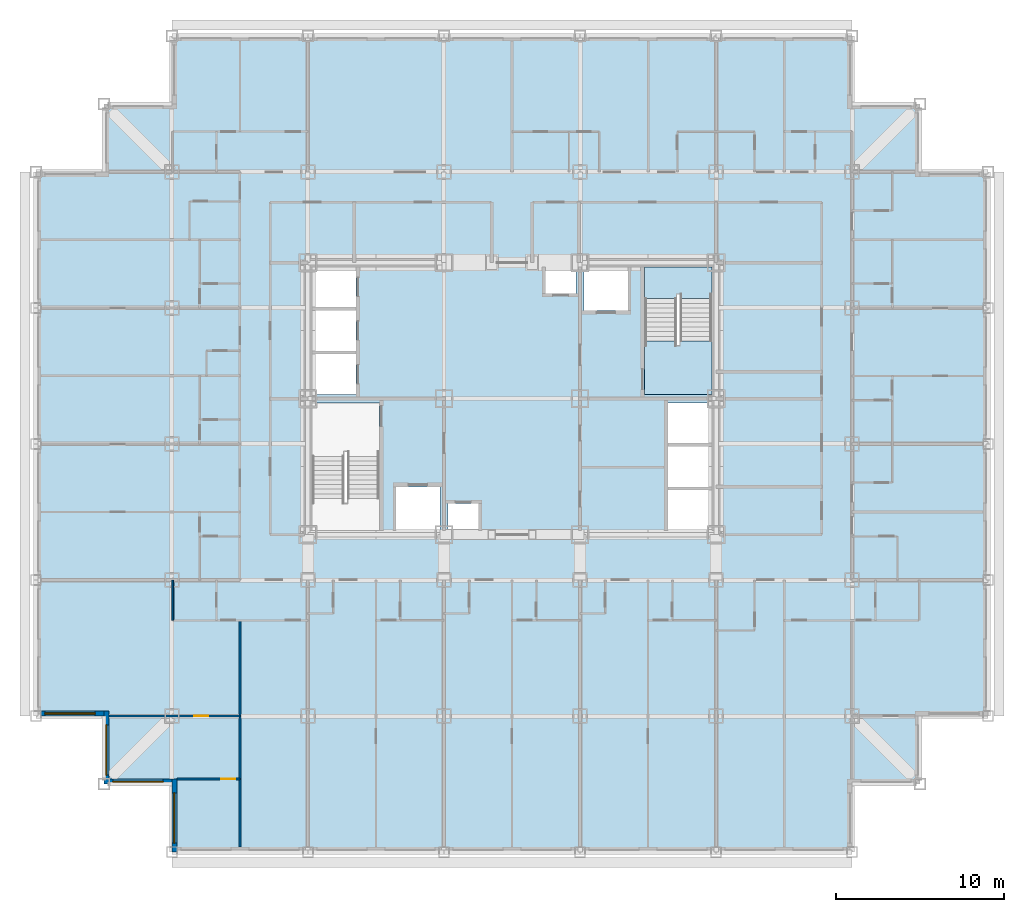
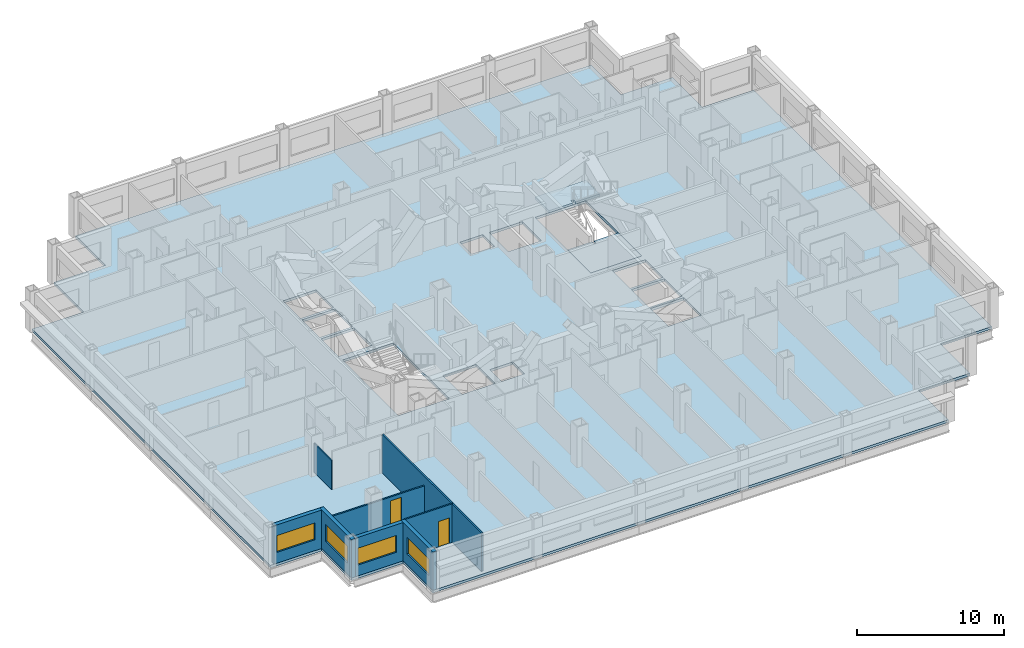
# One storey, part 3 of 12: 8 walls, 4 windows, 3 slabs, 2 doors, 6 openings, 1 element without a shape of its own.
"""IFC4 building model written with IfcOpenShell, lengths in metres."""

from ifc_helpers import new_model, si_unit, direction, frame, frame_2d, origin, place, context, subcontext, project, spatial, polyline, rectangle, outline, extrude, material, layer, layer_set, type_object, element, fill, aggregate, save


model = new_model("IFC4")

# Units and contexts
model_context = context("Model", 3, precision=1e-05, world=origin(), true_north=direction((0.0, 1.0)))
body_context = subcontext(model_context, "Body", "Model", "MODEL_VIEW")
ifc_project = project(units=[si_unit("LENGTHUNIT", "METRE"), si_unit("AREAUNIT", "SQUARE_METRE"), si_unit("VOLUMEUNIT", "CUBIC_METRE"), si_unit("PLANEANGLEUNIT", "RADIAN"), si_unit("MASSUNIT", "GRAM", prefix="KILO")], contexts=[model_context])

# Site, building, storey
site_placement = place(None, origin())
site = spatial("IfcSite", under=ifc_project, at=site_placement, CompositionType="ELEMENT")
building_placement = place(site_placement, origin())
building = spatial("IfcBuilding", under=site, at=building_placement, Name="Kopane Lantern Tower", CompositionType="ELEMENT")
storey_placement = place(building_placement, frame((0.0, 0.0, 147.60009765625)))
storey = spatial("IfcBuildingStorey", under=building, at=storey_placement, Name="L38", CompositionType="ELEMENT", Elevation=147.60009765625)

# Slab
ifc_material_1 = material(Name="Concrete C40/50", Category="concrete")
ifc_layer_1 = layer(ifc_material_1, 0.2099609375)
ifc_layer_set_1 = layer_set([ifc_layer_1], Name="SLAB 210 COMPOSITE")
slab_type_1 = type_object("IfcSlabType", Name="SLAB 210 COMPOSITE", PredefinedType="FLOOR", material=ifc_layer_set_1)
slab_1_placement = place(storey_placement, frame((0.0, 0.0, -0.210205078125)))
element("IfcSlab", 1, at=slab_1_placement, inside=storey, type_object=slab_type_1, Name="Floor slab L38", PredefinedType="FLOOR", context=body_context, shape_type="SweptSolid", body=[
    extrude(outline(polyline([(8.10009765625, 5.39990234375), (48.60009765625, 5.39990234375), (48.60009765625, 9.449951171875), (52.64990234375, 9.449951171875), (52.64990234375, 13.5), (56.699951171875, 13.5), (56.699951171875, 45.89990234375), (52.64990234375, 45.89990234375), (52.64990234375, 49.949951171875), (48.60009765625, 49.949951171875), (48.60009765625, 54.0), (8.10009765625, 54.0), (8.10009765625, 49.949951171875), (4.050048828125, 49.949951171875), (4.050048828125, 45.89990234375), (0.0, 45.89990234375), (0.0, 13.5), (4.050048828125, 13.5), (4.050048828125, 9.449951171875), (8.10009765625, 9.449951171875), (8.10009765625, 5.39990234375)]), holes=[polyline([(16.449951171875, 24.550048828125), (20.449951171875, 24.550048828125), (20.449951171875, 32.14990234375), (16.449951171875, 32.14990234375), (16.449951171875, 24.550048828125)]), polyline([(36.25, 32.64990234375), (40.25, 32.64990234375), (40.25, 40.25), (36.25, 40.25), (36.25, 32.64990234375)]), polyline([(16.449951171875, 32.64990234375), (19.050048828125, 32.64990234375), (19.050048828125, 35.050048828125), (16.449951171875, 35.050048828125), (16.449951171875, 32.64990234375)]), polyline([(16.449951171875, 35.25), (19.050048828125, 35.25), (19.050048828125, 37.64990234375), (16.449951171875, 37.64990234375), (16.449951171875, 35.25)]), polyline([(16.449951171875, 37.85009765625), (19.050048828125, 37.85009765625), (19.050048828125, 40.25), (16.449951171875, 40.25), (16.449951171875, 37.85009765625)]), polyline([(37.64990234375, 24.550048828125), (40.25, 24.550048828125), (40.25, 26.949951171875), (37.64990234375, 26.949951171875), (37.64990234375, 24.550048828125)]), polyline([(37.64990234375, 27.14990234375), (40.25, 27.14990234375), (40.25, 29.550048828125), (37.64990234375, 29.550048828125), (37.64990234375, 27.14990234375)]), polyline([(37.64990234375, 29.75), (40.25, 29.75), (40.25, 32.14990234375), (37.64990234375, 32.14990234375), (37.64990234375, 29.75)]), polyline([(21.449951171875, 24.550048828125), (24.050048828125, 24.550048828125), (24.050048828125, 27.14990234375), (21.449951171875, 27.14990234375), (21.449951171875, 24.550048828125)]), polyline([(32.64990234375, 37.64990234375), (35.25, 37.64990234375), (35.25, 40.25), (32.64990234375, 40.25), (32.64990234375, 37.64990234375)]), polyline([(24.550048828125, 24.550048828125), (26.35009765625, 24.550048828125), (26.35009765625, 26.14990234375), (24.550048828125, 26.14990234375), (24.550048828125, 24.550048828125)]), polyline([(30.35009765625, 38.64990234375), (32.14990234375, 38.64990234375), (32.14990234375, 40.25), (30.35009765625, 40.25), (30.35009765625, 38.64990234375)])]), origin(), (0.0, 0.0, 1.0), 0.210205078125),
])

# Stair, slabs
ifc_material_2 = material(Name="Steel S355JR", Category="steel")
stair_type = type_object("IfcStairType", Name="EXIT STAIR 1900 HALF TURN", PredefinedType="HALF_TURN_STAIR", material=ifc_material_2)
stair_placement = place(storey_placement, origin())
stair = element("IfcStair", 2, at=stair_placement, inside=storey, type_object=stair_type, Name="Exit stair ST2 L38", PredefinedType="HALF_TURN_STAIR")
ifc_material_3 = material(Name="Concrete C40/50", Category="concrete")
ifc_layer_2 = layer(ifc_material_3, 0.199951171875)
ifc_layer_set_2 = layer_set([ifc_layer_2], Name="STAIR LANDING 200")
slab_type_2 = type_object("IfcSlabType", Name="STAIR LANDING 200", PredefinedType="LANDING", material=ifc_layer_set_2)
slab_2_placement = place(storey_placement, frame((0.0, 0.0, -0.2001953125)))
slab_2 = element("IfcSlab", 3, at=slab_2_placement, type_object=slab_type_2, Name="ST2 landing 1", PredefinedType="LANDING", context=body_context, shape_type="SweptSolid", body=[
    extrude(outline(polyline([(40.25, 35.830078125), (38.35009765625, 35.830078125), (38.35009765625, 35.550048828125), (38.14990234375, 35.550048828125), (38.14990234375, 35.830078125), (36.25, 35.830078125), (36.25, 32.64990234375), (40.25, 32.64990234375), (40.25, 35.830078125)])), origin(), (0.0, 0.0, 1.0), 0.2001953125),
])
slab_3_placement = place(storey_placement, frame((0.0, 0.0, 1.5)))
slab_3 = element("IfcSlab", 4, at=slab_3_placement, type_object=slab_type_2, Name="ST2 landing 2", PredefinedType="LANDING", context=body_context, shape_type="SweptSolid", body=[
    extrude(outline(polyline([(38.14990234375, 38.6298828125), (38.35009765625, 38.6298828125), (38.35009765625, 38.35009765625), (40.25, 38.35009765625), (40.25, 40.25), (36.25, 40.25), (36.25, 38.35009765625), (38.14990234375, 38.35009765625), (38.14990234375, 38.6298828125)])), origin(), (0.0, 0.0, 1.0), 0.199951171875),
])
aggregate(stair, [slab_2, slab_3])

# Wall
ifc_material_4 = material(Name="Gypsum board on steel studs", Category="steel")
ifc_layer_3 = layer(ifc_material_4, 0.1201171875)
ifc_layer_set_3 = layer_set([ifc_layer_3], Name="APARTMENT INTERNAL WALL 120")
wall_type_1 = type_object("IfcWallType", Name="APARTMENT INTERNAL WALL 120", PredefinedType="PARTITIONING", material=ifc_layer_set_3)
wall_1_placement = place(storey_placement, frame((12.14990234375, 19.199951171875, 0.0), z_axis=(0.0, 0.0, 1.0), x_axis=(0.0, -1.0, 0.0)))
element("IfcWall", 5, at=wall_1_placement, inside=storey, type_object=wall_type_1, Name="Apartment Internal Wall 120 L38", PredefinedType="PARTITIONING", context=body_context, shape_type="SweptSolid", body=[
    extrude(rectangle(XDim=13.5, YDim=0.1201171875, at=frame_2d((6.75, 0.0))), origin(), (0.0, 0.0, 1.0), 3.18994140625),
])

# Wall, opening, door
wall_2_placement = place(storey_placement, frame((12.14990234375, 13.5, 0.0), z_axis=(0.0, 0.0, 1.0), x_axis=(-1.0, 0.0, 0.0)))
wall_2 = element("IfcWall", 6, at=wall_2_placement, inside=storey, type_object=wall_type_1, Name="Apartment Internal Wall 120 L38", PredefinedType="PARTITIONING", context=body_context, shape_type="SweptSolid", body=[
    extrude(rectangle(XDim=7.7998046875, YDim=0.1201171875, at=frame_2d((3.89990234375, 0.0))), origin(), (0.0, 0.0, 1.0), 2.420166015625),
])
opening_1_placement = place(wall_2_placement, frame((1.875, 0.0, 0.0)))
opening_1 = element("IfcOpeningElement", 7, at=opening_1_placement, cuts=wall_2, Name="Opening L38-060", PredefinedType="OPENING", context=body_context, shape_type="SweptSolid", body=[
    extrude(rectangle(XDim=0.85009765625, YDim=2.10009765625, at=frame_2d((0.425048828125, 1.050048828125))), frame((0.0, 0.070068359375, 0.0), z_axis=(0.0, -1.0, 0.0), x_axis=(1.0, 0.0, 0.0)), (0.0, 0.0, 1.0), 0.14013671875),
])
ifc_material_5 = material(Name="Timber door set", Category="wood")
door_type = type_object("IfcDoorType", Name="DOOR D4 850x2100", OperationType="SINGLE_SWING_LEFT", PredefinedType="DOOR", material=ifc_material_5)
door_1_placement = place(opening_1_placement, origin())
door_1 = element("IfcDoor", 8, at=door_1_placement, inside=storey, type_object=door_type, Name="Door L38-060", OperationType="SINGLE_SWING_LEFT", OverallHeight=2.10009765625, OverallWidth=0.85009765625, PredefinedType="DOOR", context=body_context, shape_type="SweptSolid", body=[
    extrude(rectangle(XDim=0.85009765625, YDim=2.10009765625, at=frame_2d((0.425048828125, 1.050048828125))), frame((0.0, 0.02490234375, 0.0), z_axis=(0.0, -1.0, 0.0), x_axis=(1.0, 0.0, 0.0)), (0.0, 0.0, 1.0), 0.050048828125),
])
fill(opening_1, door_1)

wall_3_placement = place(storey_placement, frame((8.389892578125, 9.75, 0.0), z_axis=(0.0, 0.0, 1.0), x_axis=(1.0, 0.0, 0.0)))
wall_3 = element("IfcWall", 9, at=wall_3_placement, inside=storey, type_object=wall_type_1, Name="Apartment Internal Wall 120 L38", PredefinedType="PARTITIONING", context=body_context, shape_type="SweptSolid", body=[
    extrude(rectangle(XDim=3.760009765625, YDim=0.1201171875, at=frame_2d((1.8798828125, 0.0))), origin(), (0.0, 0.0, 1.0), 3.18994140625),
])
opening_2_placement = place(wall_3_placement, frame((2.635009765625, 0.0, 0.0)))
opening_2 = element("IfcOpeningElement", 10, at=opening_2_placement, cuts=wall_3, Name="Opening L38-081", PredefinedType="OPENING", context=body_context, shape_type="SweptSolid", body=[
    extrude(rectangle(XDim=0.85009765625, YDim=2.10009765625, at=frame_2d((0.425048828125, 1.050048828125))), frame((0.0, 0.070068359375, 0.0), z_axis=(0.0, -1.0, 0.0), x_axis=(1.0, 0.0, 0.0)), (0.0, 0.0, 1.0), 0.14013671875),
])
door_2_placement = place(opening_2_placement, origin())
door_2 = element("IfcDoor", 11, at=door_2_placement, inside=storey, type_object=door_type, Name="Door L38-081", OperationType="SINGLE_SWING_RIGHT", OverallHeight=2.10009765625, OverallWidth=0.85009765625, PredefinedType="DOOR", context=body_context, shape_type="SweptSolid", body=[
    extrude(rectangle(XDim=0.85009765625, YDim=2.10009765625, at=frame_2d((0.425048828125, 1.050048828125))), frame((0.0, 0.02490234375, 0.0), z_axis=(0.0, -1.0, 0.0), x_axis=(1.0, 0.0, 0.0)), (0.0, 0.0, 1.0), 0.050048828125),
])
fill(opening_2, door_2)

# Wall
ifc_material_6 = material(Name="Moisture-resistant board on steel studs", Category="steel")
ifc_layer_4 = layer(ifc_material_6, 0.10009765625)
ifc_layer_set_4 = layer_set([ifc_layer_4], Name="BATHROOM WALL 100")
wall_type_2 = type_object("IfcWallType", Name="BATHROOM WALL 100", PredefinedType="PARTITIONING", material=ifc_layer_set_4)
wall_4_placement = place(storey_placement, frame((8.14990234375, 21.60009765625, 0.0), z_axis=(0.0, 0.0, 1.0), x_axis=(0.0, -1.0, 0.0)))
element("IfcWall", 12, at=wall_4_placement, inside=storey, type_object=wall_type_2, Name="Bathroom Wall 100 L38", PredefinedType="PARTITIONING", context=body_context, shape_type="SweptSolid", body=[
    extrude(rectangle(XDim=2.400146484375, YDim=0.10009765625, at=frame_2d((1.2001953125, 0.0))), origin(), (0.0, 0.0, 1.0), 2.420166015625),
])

# Wall, opening, window
ifc_material_7 = material(Name="Terracotta rainscreen on light steel framing", Category="masonry")
ifc_layer_5 = layer(ifc_material_7, 0.300048828125)
ifc_layer_set_5 = layer_set([ifc_layer_5], Name="EXTERNAL WALL EW1 300 TERRACOTTA")
wall_type_3 = type_object("IfcWallType", Name="EXTERNAL WALL EW1 300 TERRACOTTA", PredefinedType="SOLIDWALL", material=ifc_layer_set_5)
wall_5_placement = place(storey_placement, frame((0.300048828125, 13.64990234375, 0.0), z_axis=(0.0, 0.0, 1.0), x_axis=(1.0, 0.0, 0.0)))
wall_5 = element("IfcWall", 13, at=wall_5_placement, inside=storey, type_object=wall_type_3, Name="External wall S L38", PredefinedType="SOLIDWALL", context=body_context, shape_type="SweptSolid", body=[
    extrude(rectangle(XDim=3.75, YDim=0.300048828125, at=frame_2d((1.875, 0.0))), origin(), (0.0, 0.0, 1.0), 3.18994140625),
])
opening_3_placement = place(wall_5_placement, frame((0.22509765625, 0.0, 0.89990234375)))
opening_3 = element("IfcOpeningElement", 14, at=opening_3_placement, cuts=wall_5, Name="Opening WR300140", PredefinedType="OPENING", context=body_context, shape_type="SweptSolid", body=[
    extrude(rectangle(XDim=3.0, YDim=1.39990234375, at=frame_2d((1.5, 0.699951171875))), frame((0.0, 0.159912109375, 0.0), z_axis=(0.0, -1.0, 0.0), x_axis=(1.0, 0.0, 0.0)), (0.0, 0.0, 1.0), 0.320068359375),
])
ifc_material_8 = material(Name="Aluminium and clear glass", Category="aluminium")
window_type = type_object("IfcWindowType", Name="RIBBON WINDOW WR300140 3000x1400", PartitioningType="SINGLE_PANEL", PredefinedType="WINDOW", material=ifc_material_8)
window_1_placement = place(opening_3_placement, origin())
window_1 = element("IfcWindow", 15, at=window_1_placement, inside=storey, type_object=window_type, Name="Window S L38", OverallHeight=1.39990234375, OverallWidth=3.0, PartitioningType="SINGLE_PANEL", PredefinedType="WINDOW", context=body_context, shape_type="SweptSolid", body=[
    extrude(rectangle(XDim=3.0, YDim=1.39990234375, at=frame_2d((1.5, 0.699951171875))), frame((0.0, 0.030029296875, 0.0), z_axis=(0.0, -1.0, 0.0), x_axis=(1.0, 0.0, 0.0)), (0.0, 0.0, 1.0), 0.06005859375),
])
fill(opening_3, window_1)

wall_6_placement = place(storey_placement, frame((4.199951171875, 13.800048828125, 0.0), z_axis=(0.0, 0.0, 1.0), x_axis=(0.0, -1.0, 0.0)))
wall_6 = element("IfcWall", 16, at=wall_6_placement, inside=storey, type_object=wall_type_3, Name="External wall W L38", PredefinedType="SOLIDWALL", context=body_context, shape_type="SweptSolid", body=[
    extrude(rectangle(XDim=4.35009765625, YDim=0.300048828125, at=frame_2d((2.175048828125, 0.0))), origin(), (0.0, 0.0, 1.0), 3.18994140625),
])
opening_4_placement = place(wall_6_placement, frame((0.824951171875, 0.0, 0.89990234375)))
opening_4 = element("IfcOpeningElement", 17, at=opening_4_placement, cuts=wall_6, Name="Opening WR300140", PredefinedType="OPENING", context=body_context, shape_type="SweptSolid", body=[
    extrude(rectangle(XDim=3.0, YDim=1.39990234375, at=frame_2d((1.5, 0.699951171875))), frame((0.0, 0.159912109375, 0.0), z_axis=(0.0, -1.0, 0.0), x_axis=(1.0, 0.0, 0.0)), (0.0, 0.0, 1.0), 0.320068359375),
])
window_2_placement = place(opening_4_placement, origin())
window_2 = element("IfcWindow", 18, at=window_2_placement, inside=storey, type_object=window_type, Name="Window W L38", OverallHeight=1.39990234375, OverallWidth=3.0, PartitioningType="SINGLE_PANEL", PredefinedType="WINDOW", context=body_context, shape_type="SweptSolid", body=[
    extrude(rectangle(XDim=3.0, YDim=1.39990234375, at=frame_2d((1.5, 0.699951171875))), frame((0.0, 0.030029296875, 0.0), z_axis=(0.0, -1.0, 0.0), x_axis=(1.0, 0.0, 0.0)), (0.0, 0.0, 1.0), 0.06005859375),
])
fill(opening_4, window_2)

wall_7_placement = place(storey_placement, frame((4.35009765625, 9.60009765625, 0.0), z_axis=(0.0, 0.0, 1.0), x_axis=(1.0, 0.0, 0.0)))
wall_7 = element("IfcWall", 19, at=wall_7_placement, inside=storey, type_object=wall_type_3, Name="External wall S L38", PredefinedType="SOLIDWALL", context=body_context, shape_type="SweptSolid", body=[
    extrude(rectangle(XDim=3.75, YDim=0.300048828125, at=frame_2d((1.875, 0.0))), origin(), (0.0, 0.0, 1.0), 3.18994140625),
])
opening_5_placement = place(wall_7_placement, frame((0.22509765625, 0.0, 0.89990234375)))
opening_5 = element("IfcOpeningElement", 20, at=opening_5_placement, cuts=wall_7, Name="Opening WR300140", PredefinedType="OPENING", context=body_context, shape_type="SweptSolid", body=[
    extrude(rectangle(XDim=3.0, YDim=1.39990234375, at=frame_2d((1.5, 0.699951171875))), frame((0.0, 0.159912109375, 0.0), z_axis=(0.0, -1.0, 0.0), x_axis=(1.0, 0.0, 0.0)), (0.0, 0.0, 1.0), 0.320068359375),
])
window_3_placement = place(opening_5_placement, origin())
window_3 = element("IfcWindow", 21, at=window_3_placement, inside=storey, type_object=window_type, Name="Window S L38", OverallHeight=1.39990234375, OverallWidth=3.0, PartitioningType="SINGLE_PANEL", PredefinedType="WINDOW", context=body_context, shape_type="SweptSolid", body=[
    extrude(rectangle(XDim=3.0, YDim=1.39990234375, at=frame_2d((1.5, 0.699951171875))), frame((0.0, 0.030029296875, 0.0), z_axis=(0.0, -1.0, 0.0), x_axis=(1.0, 0.0, 0.0)), (0.0, 0.0, 1.0), 0.06005859375),
])
fill(opening_5, window_3)

wall_8_placement = place(storey_placement, frame((8.25, 9.75, 0.0), z_axis=(0.0, 0.0, 1.0), x_axis=(0.0, -1.0, 0.0)))
wall_8 = element("IfcWall", 22, at=wall_8_placement, inside=storey, type_object=wall_type_3, Name="External wall W L38", PredefinedType="SOLIDWALL", context=body_context, shape_type="SweptSolid", body=[
    extrude(rectangle(XDim=4.35009765625, YDim=0.300048828125, at=frame_2d((2.175048828125, 0.0))), origin(), (0.0, 0.0, 1.0), 3.18994140625),
])
opening_6_placement = place(wall_8_placement, frame((0.824951171875, 0.0, 0.89990234375)))
opening_6 = element("IfcOpeningElement", 23, at=opening_6_placement, cuts=wall_8, Name="Opening WR300140", PredefinedType="OPENING", context=body_context, shape_type="SweptSolid", body=[
    extrude(rectangle(XDim=3.0, YDim=1.39990234375, at=frame_2d((1.5, 0.699951171875))), frame((0.0, 0.159912109375, 0.0), z_axis=(0.0, -1.0, 0.0), x_axis=(1.0, 0.0, 0.0)), (0.0, 0.0, 1.0), 0.320068359375),
])
window_4_placement = place(opening_6_placement, origin())
window_4 = element("IfcWindow", 24, at=window_4_placement, inside=storey, type_object=window_type, Name="Window W L38", OverallHeight=1.39990234375, OverallWidth=3.0, PartitioningType="SINGLE_PANEL", PredefinedType="WINDOW", context=body_context, shape_type="SweptSolid", body=[
    extrude(rectangle(XDim=3.0, YDim=1.39990234375, at=frame_2d((1.5, 0.699951171875))), frame((0.0, 0.030029296875, 0.0), z_axis=(0.0, -1.0, 0.0), x_axis=(1.0, 0.0, 0.0)), (0.0, 0.0, 1.0), 0.06005859375),
])
fill(opening_6, window_4)

save(model, "model.ifc")
